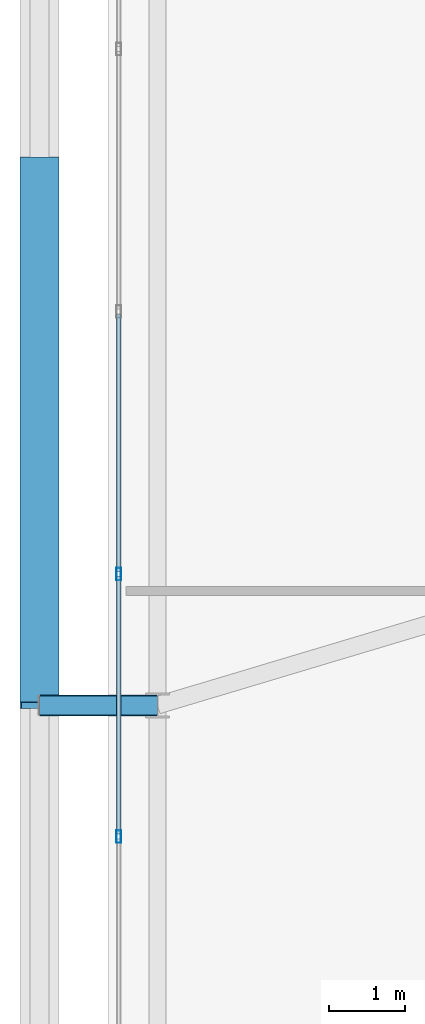
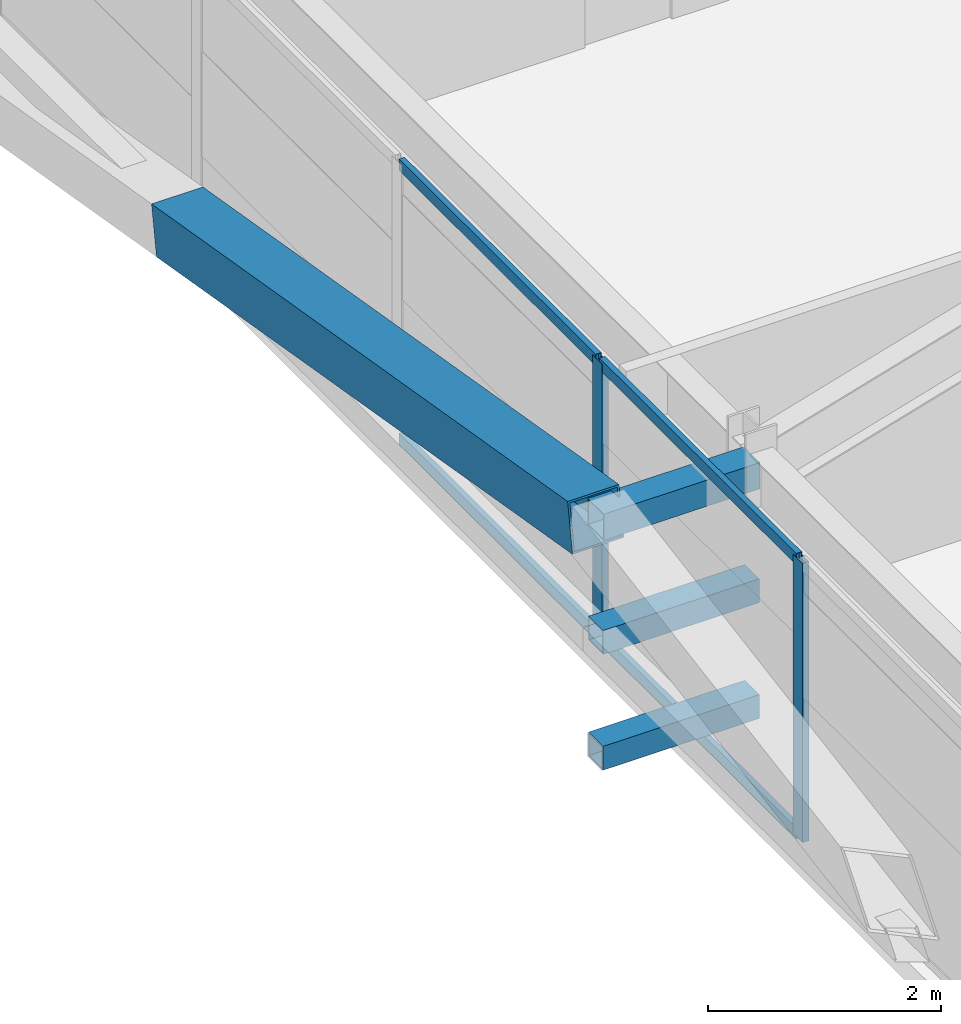
# One storey, part 14 of 59: 10 members, 1 element without a shape of its own.
"""IFC4 building model written with IfcOpenShell, lengths in metres."""

from ifc_helpers import new_model, si_unit, direction, frame, origin, origin_2d, place, context, subcontext, project, spatial, hollow_rectangle, extrude, source, transform, mapped, material, layer, layer_set, material_profile, profile_set, type_object, element, aggregate, save


model = new_model("IFC4")

# Units and contexts
model_context = context("Model", 3, precision=1e-05, world=origin(), true_north=direction((0.0, 1.0)))
body_context = subcontext(model_context, "Body", "Model", "MODEL_VIEW")
ifc_project = project(units=[si_unit("LENGTHUNIT", "METRE"), si_unit("AREAUNIT", "SQUARE_METRE"), si_unit("VOLUMEUNIT", "CUBIC_METRE"), si_unit("PLANEANGLEUNIT", "RADIAN"), si_unit("MASSUNIT", "GRAM", prefix="KILO")], contexts=[model_context])

# Site, building, storey
site_placement = place(None, origin())
site = spatial("IfcSite", under=ifc_project, at=site_placement, CompositionType="ELEMENT")
building_placement = place(site_placement, origin())
building = spatial("IfcBuilding", under=site, at=building_placement, Name="Taldren Reach Tower", CompositionType="ELEMENT")
storey_placement = place(building_placement, frame((0.0, 0.0, 29.39990234375)))
storey = spatial("IfcBuildingStorey", under=building, at=storey_placement, Name="L08", CompositionType="ELEMENT", Elevation=29.39990234375)

# Members
ifc_material_1 = material(Name="Steel Gr 450 (C450L0)", Category="steel")
ifc_material_profile_1 = material_profile(ifc_material_1, hollow_rectangle(XDim=0.27490234375, YDim=0.27490234375, WallThickness=0.00927734375, at=origin_2d()), Name="275x275x9.3SHS")
ifc_profile_set_1 = profile_set([ifc_material_profile_1], Name="Steel Gr 450 (C450L0)")
member_type_1 = type_object("IfcMemberType", Name="MB-TIE273", PredefinedType="STRUT", material=ifc_profile_set_1)
shared_shape_1 = source(origin(), body_context, "Body", "SweptSolid", [
    extrude(hollow_rectangle(XDim=0.27490234375, YDim=0.27490234375, WallThickness=0.00927734375, at=origin_2d()), origin(), (0.0, 0.0, 1.0), 1.5498046875),
])
member_1_placement = place(storey_placement, frame((5.64990234375, 20.0, 2.650146484375), z_axis=(-1.0, 0.0, 0.0), x_axis=(0.0, -1.0, 0.0)))
element("IfcMember", 1, at=member_1_placement, inside=storey, type_object=member_type_1, Name="Exoskeleton diaphragm tie strut B1-W2 L08", PredefinedType="STRUT", context=body_context, shape_type="MappedRepresentation", body=[
    mapped(shared_shape_1, transform((0.0, 0.0, 0.0), scale=1.0)),
])
ifc_material_2 = material(Name="Steel Gr 350 (C350L0)", Category="steel")
ifc_material_profile_2 = material_profile(ifc_material_2, hollow_rectangle(XDim=0.25, YDim=0.25, WallThickness=0.010009765625, at=origin_2d()), Name="250x250x10.0SHS")
ifc_profile_set_2 = profile_set([ifc_material_profile_2], Name="Steel Gr 350 (C350L0)")
member_type_2 = type_object("IfcMemberType", Name="MB-POST250", PredefinedType="POST", material=ifc_profile_set_2)
shared_shape_2 = source(origin(), body_context, "Body", "SweptSolid", [
    extrude(hollow_rectangle(XDim=0.25, YDim=0.25, WallThickness=0.010009765625, at=origin_2d()), origin(), (0.0, 0.0, 1.0), 1.5498046875),
])
for number, where, z_axis, x_axis, name in (
    (2, (5.64990234375, 20.0, 0.22021484375), (-1.0, 0.0, 0.0), (0.0, -1.0, 0.0), "Exoskeleton base diaphragm tie strut B1-W2 L08"),
    (3, (5.64990234375, 20.0, 1.43505859375), (-1.0, 0.0, 0.0), (0.0, -1.0, 0.0), "Exoskeleton mid-tier diaphragm tie B1-W2 L08"),
):
    element("IfcMember", number, at=place(storey_placement, frame(where, z_axis=z_axis, x_axis=x_axis)), inside=storey, type_object=member_type_2, Name=name, PredefinedType="POST", context=body_context, shape_type="MappedRepresentation", body=[
        mapped(shared_shape_2, transform((0.0, 0.0, 0.0), scale=1.0)),
    ])
ifc_material_profile_3 = material_profile(ifc_material_1, hollow_rectangle(XDim=0.510009765625, YDim=0.510009765625, WallThickness=0.02001953125, at=origin_2d()), Name="510x510x20.0SHS")
ifc_profile_set_3 = profile_set([ifc_material_profile_3], Name="Steel Gr 450 (C450L0)")
member_type_3 = type_object("IfcMemberType", Name="MB-EXO508", PredefinedType="BRACE", material=ifc_profile_set_3)
shared_shape_3 = source(origin(), body_context, "Body", "SweptSolid", [
    extrude(hollow_rectangle(XDim=0.510009765625, YDim=0.510009765625, WallThickness=0.02001953125, at=origin_2d()), origin(), (0.0, 0.0, 1.0), 7.25244140625),
])
member_2_placement = place(storey_placement, frame((4.10009765625, 27.14990234375, 1.43505859375), z_axis=(0.0, -0.985864855729, 0.167542490848), x_axis=(1.0, 0.0, 0.0)))
element("IfcMember", 4, at=member_2_placement, inside=storey, type_object=member_type_3, Name="Exoskeleton Diagrid Brace B1-W2 L08", PredefinedType="BRACE", context=body_context, shape_type="MappedRepresentation", body=[
    mapped(shared_shape_3, transform((0.0, 0.0, 0.0), scale=1.0)),
])

# Curtain wall, members
ifc_material_3 = material(Name="Aluminium and Low-E Glass Unitised System", Category="aluminium")
ifc_layer = layer(ifc_material_3, 0.159912109375)
ifc_layer_set = layer_set([ifc_layer], Name="Aluminium and Low-E Glass Unitised System")
curtain_wall_type = type_object("IfcCurtainWallType", Name="CW-SYS-2", PredefinedType="NOTDEFINED", material=ifc_layer_set)
curtain_wall_placement = place(storey_placement, origin())
curtain_wall = element("IfcCurtainWall", 5, at=curtain_wall_placement, inside=storey, type_object=curtain_wall_type, Name="Unitised curtain wall CW-L08-W", PredefinedType="NOTDEFINED")
ifc_material_4 = material(Name="Anodised Aluminium 6063-T6", Category="aluminium")
ifc_material_profile_4 = material_profile(ifc_material_4, hollow_rectangle(XDim=0.054931640625, YDim=0.1201171875, WallThickness=0.0029296875, at=origin_2d()), Name="ALU-120x55x3RHS")
ifc_profile_set_4 = profile_set([ifc_material_profile_4], Name="Anodised Aluminium 6063-T6")
member_type_4 = type_object("IfcMemberType", Name="CW-TRN-135", PredefinedType="USERDEFINED", material=ifc_profile_set_4)
shared_shape_4 = source(origin(), body_context, "Body", "SweptSolid", [
    extrude(hollow_rectangle(XDim=0.054931640625, YDim=0.1201171875, WallThickness=0.0029296875, at=origin_2d()), origin(), (0.0, 0.0, 1.0), 3.37939453125),
])
member_3_placement = place(storey_placement, frame((5.139892578125, 21.689697265625, 0.027587890625), z_axis=(0.0, -1.0, 0.0), x_axis=(1.0, 0.0, 0.0)))
member_3 = element("IfcMember", 6, at=member_3_placement, type_object=member_type_4, Name="CW-2 transom 5.1", ObjectType="TRANSOM", PredefinedType="USERDEFINED", context=body_context, shape_type="MappedRepresentation", body=[
    mapped(shared_shape_4, transform((0.0, 0.0, 0.0), scale=1.0)),
])
member_4_placement = place(storey_placement, frame((5.139892578125, 21.689697265625, 2.902587890625), z_axis=(0.0, -1.0, 0.0), x_axis=(1.0, 0.0, 0.0)))
member_4 = element("IfcMember", 7, at=member_4_placement, type_object=member_type_4, Name="CW-2 transom 5.2", ObjectType="TRANSOM", PredefinedType="USERDEFINED", context=body_context, shape_type="MappedRepresentation", body=[
    mapped(shared_shape_4, transform((0.0, 0.0, 0.0), scale=1.0)),
])
shared_shape_5 = source(origin(), body_context, "Body", "SweptSolid", [
    extrude(hollow_rectangle(XDim=0.054931640625, YDim=0.1201171875, WallThickness=0.0029296875, at=origin_2d()), origin(), (0.0, 0.0, 1.0), 3.379638671875),
])
member_5_placement = place(storey_placement, frame((5.139892578125, 25.13427734375, 0.027587890625), z_axis=(0.0, -1.0, 0.0), x_axis=(1.0, 0.0, 0.0)))
member_5 = element("IfcMember", 8, at=member_5_placement, type_object=member_type_4, Name="CW-2 transom 4.1", ObjectType="TRANSOM", PredefinedType="USERDEFINED", context=body_context, shape_type="MappedRepresentation", body=[
    mapped(shared_shape_5, transform((0.0, 0.0, 0.0), scale=1.0)),
])
member_6_placement = place(storey_placement, frame((5.139892578125, 25.13427734375, 2.902587890625), z_axis=(0.0, -1.0, 0.0), x_axis=(1.0, 0.0, 0.0)))
member_6 = element("IfcMember", 9, at=member_6_placement, type_object=member_type_4, Name="CW-2 transom 4.2", ObjectType="TRANSOM", PredefinedType="USERDEFINED", context=body_context, shape_type="MappedRepresentation", body=[
    mapped(shared_shape_5, transform((0.0, 0.0, 0.0), scale=1.0)),
])
ifc_material_profile_5 = material_profile(ifc_material_4, hollow_rectangle(XDim=0.06494140625, YDim=0.1650390625, WallThickness=0.00390625, at=origin_2d()), Name="ALU-165x65x4RHS")
ifc_profile_set_5 = profile_set([ifc_material_profile_5], Name="Anodised Aluminium 6063-T6")
member_type_5 = type_object("IfcMemberType", Name="CW-MUL-165", PredefinedType="MULLION", material=ifc_profile_set_5)
shared_shape_6 = source(origin(), body_context, "Body", "SweptSolid", [
    extrude(hollow_rectangle(XDim=0.06494140625, YDim=0.1650390625, WallThickness=0.00390625, at=origin_2d()), origin(), (0.0, 0.0, 1.0), 2.93017578125),
])
member_7_placement = place(storey_placement, frame((5.139892578125, 21.72216796875, 0.0), z_axis=(0.0, 0.0, 1.0), x_axis=(1.0, 0.0, 0.0)))
member_7 = element("IfcMember", 10, at=member_7_placement, type_object=member_type_5, Name="CW-2 mullion 5", PredefinedType="MULLION", context=body_context, shape_type="MappedRepresentation", body=[
    mapped(shared_shape_6, transform((0.0, 0.0, 0.0), scale=1.0)),
])
member_8_placement = place(storey_placement, frame((5.139892578125, 18.27783203125, 0.0), z_axis=(0.0, 0.0, 1.0), x_axis=(1.0, 0.0, 0.0)))
member_8 = element("IfcMember", 11, at=member_8_placement, type_object=member_type_5, Name="CW-2 mullion 6", PredefinedType="MULLION", context=body_context, shape_type="MappedRepresentation", body=[
    mapped(shared_shape_6, transform((0.0, 0.0, 0.0), scale=1.0)),
])
aggregate(curtain_wall, [member_7, member_8, member_5, member_6, member_3, member_4])

save(model, "model.ifc")
